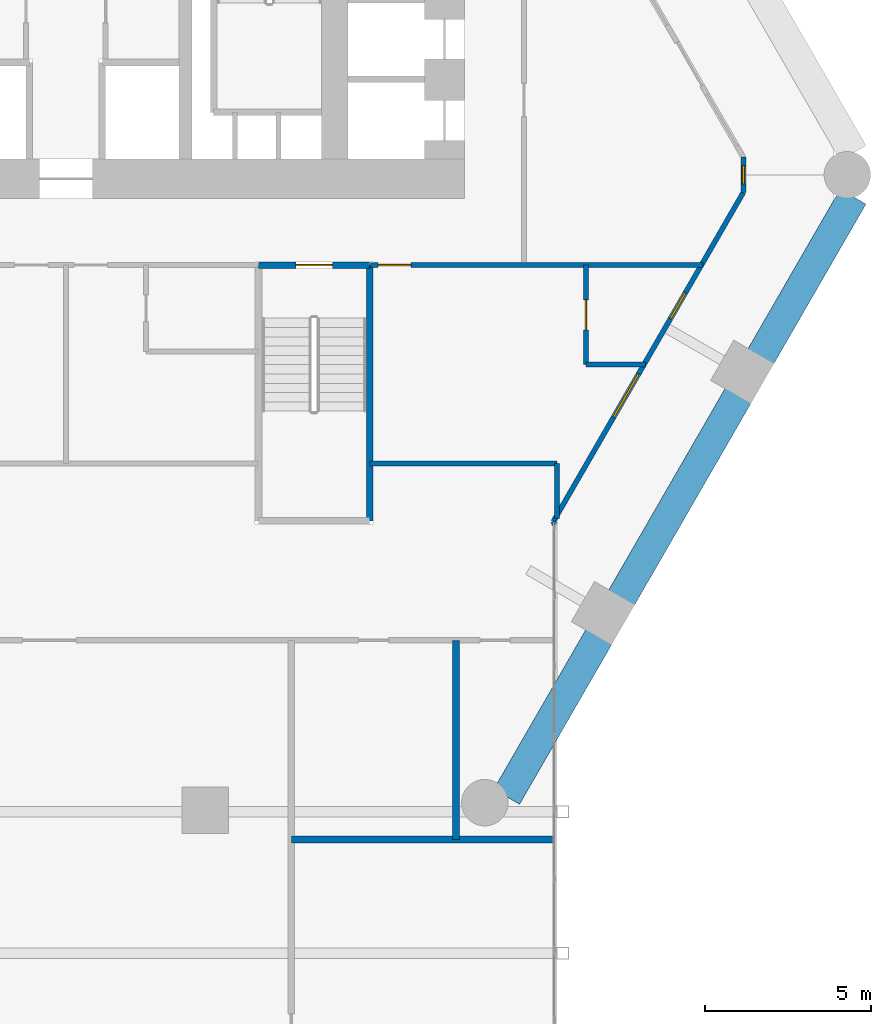
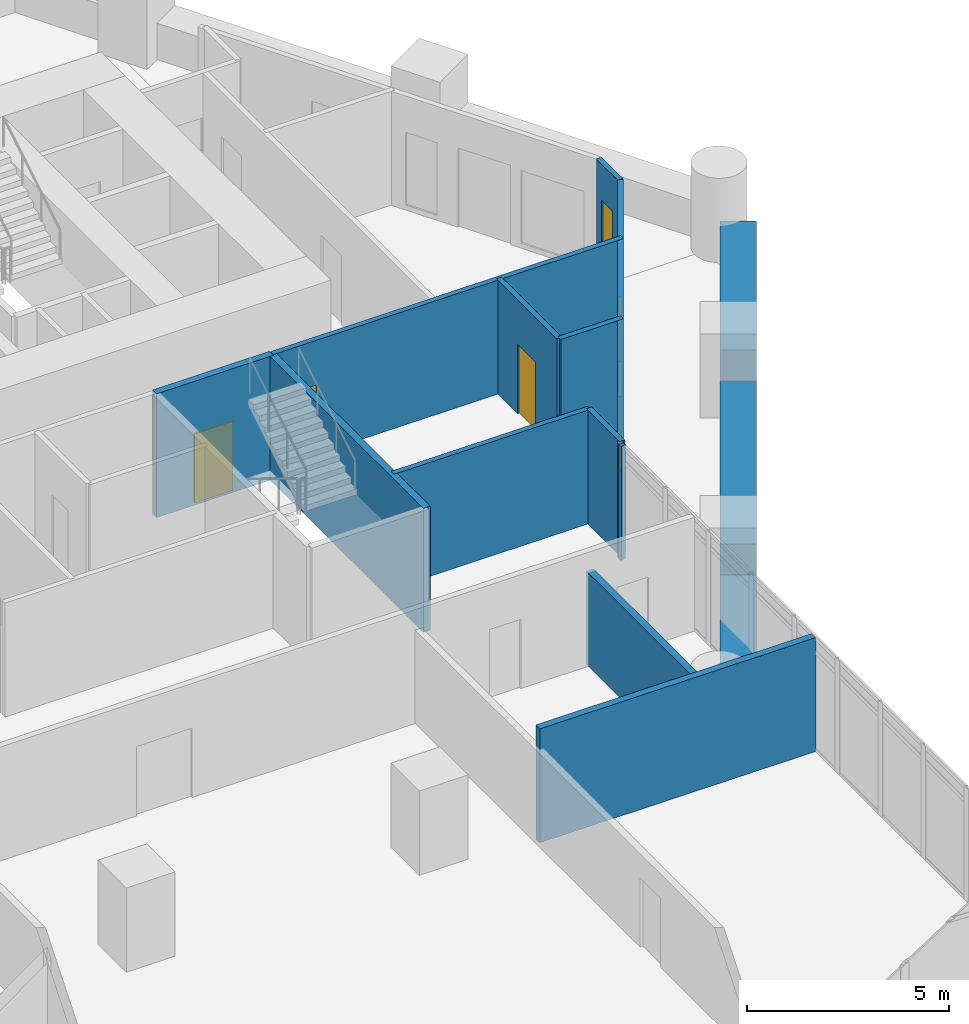
# One storey, part 24 of 28: 15 walls, 3 doors, 3 windows, 6 openings.
"""IFC4 building model written with IfcOpenShell, lengths in metres."""

from ifc_helpers import new_model, si_unit, direction, frame, frame_2d, origin, place, context, subcontext, project, spatial, rectangle, extrude, material, layer, layer_set, type_object, element, fill, save


model = new_model("IFC4")

# Units and contexts
model_context = context("Model", 3, precision=1e-05, world=origin(), true_north=direction((0.0, 1.0)))
body_context = subcontext(model_context, "Body", "Model", "MODEL_VIEW")
ifc_project = project(units=[si_unit("LENGTHUNIT", "METRE"), si_unit("AREAUNIT", "SQUARE_METRE"), si_unit("VOLUMEUNIT", "CUBIC_METRE"), si_unit("PLANEANGLEUNIT", "RADIAN"), si_unit("MASSUNIT", "GRAM", prefix="KILO")], contexts=[model_context])

# Site, building, storey
site_placement = place(None, origin())
site = spatial("IfcSite", under=ifc_project, at=site_placement, CompositionType="ELEMENT")
building_placement = place(site_placement, origin())
building = spatial("IfcBuilding", under=site, at=building_placement, Name="Ostrander Bayou Hotel Tower", CompositionType="ELEMENT")
storey_placement = place(building_placement, frame((0.0, 0.0, 73.0)))
storey = spatial("IfcBuildingStorey", under=building, at=storey_placement, Name="L18", CompositionType="ELEMENT", Elevation=73.0)

# Wall, openings, windows
ifc_material_1 = material(Name="Aluminium framed insulated wall", Category="aluminium")
ifc_layer_1 = layer(ifc_material_1, 0.14990234375)
ifc_layer_set_1 = layer_set([ifc_layer_1], Name="GW1 glass-line wall 150 mm")
wall_type_1 = type_object("IfcWallType", Name="GW1 glass-line wall 150 mm", PredefinedType="SOLIDWALL", material=ifc_layer_set_1)
wall_1_placement = place(storey_placement, frame((14.678955078125, -11.42529296875, 0.0), z_axis=(0.0, 0.0, 1.0), x_axis=(0.499991453095, 0.866030338286, 0.0)))
wall_1 = element("IfcWall", 1, at=wall_1_placement, inside=storey, type_object=wall_type_1, Name="GW1 L18 SE 1", PredefinedType="SOLIDWALL", context=body_context, shape_type="SweptSolid", body=[
    extrude(rectangle(XDim=11.444091796875, YDim=0.14990234375, at=frame_2d((5.72216796875, 0.0))), origin(), (0.0, 0.0, 1.0), 3.449951171875),
])
opening_1_placement = place(wall_1_placement, frame((3.63232421875, 0.0, 0.14990234375)))
opening_1 = element("IfcOpeningElement", 2, at=opening_1_placement, cuts=wall_1, Name="Opening W11", PredefinedType="OPENING", context=body_context, shape_type="SweptSolid", body=[
    extrude(rectangle(XDim=1.5, YDim=2.199951171875, at=frame_2d((0.75, 1.10009765625))), frame((0.0, 0.074951171875, 0.0), z_axis=(0.0, -1.0, 0.0), x_axis=(1.0, 0.0, 0.0)), (0.0, 0.0, 1.0), 0.14990234375),
])
opening_2_placement = place(wall_1_placement, frame((7.05517578125, 0.0, 0.14990234375)))
opening_2 = element("IfcOpeningElement", 3, at=opening_2_placement, cuts=wall_1, Name="Opening W15", PredefinedType="OPENING", context=body_context, shape_type="SweptSolid", body=[
    extrude(rectangle(XDim=0.89990234375, YDim=2.199951171875, at=frame_2d((0.449951171875, 1.10009765625))), frame((0.0, 0.074951171875, 0.0), z_axis=(0.0, -1.0, 0.0), x_axis=(1.0, 0.0, 0.0)), (0.0, 0.0, 1.0), 0.14990234375),
])
ifc_material_2 = material(Name="Aluminium and clear glass", Category="aluminium")
window_type_1 = type_object("IfcWindowType", Name="W11 fixed window 1500 mm, bath bay, zone 1", PartitioningType="SINGLE_PANEL", PredefinedType="WINDOW", material=ifc_material_2)
window_1_placement = place(opening_1_placement, origin())
window_1 = element("IfcWindow", 4, at=window_1_placement, inside=storey, type_object=window_type_1, Name="W11 L18 SE 3", OverallHeight=2.199951171875, OverallWidth=1.5, PartitioningType="SINGLE_PANEL", PredefinedType="WINDOW", context=body_context, shape_type="SweptSolid", body=[
    extrude(rectangle(XDim=1.5, YDim=2.199951171875, at=frame_2d((0.75, 1.10009765625))), frame((0.0, 0.030029296875, 0.0), z_axis=(0.0, -1.0, 0.0), x_axis=(1.0, 0.0, 0.0)), (0.0, 0.0, 1.0), 0.06005859375),
])
fill(opening_1, window_1)
ifc_material_3 = material(Name="Aluminium and clear glass", Category="aluminium")
window_type_2 = type_object("IfcWindowType", Name="W15 window 900 mm, zone 1", PartitioningType="SINGLE_PANEL", PredefinedType="WINDOW", material=ifc_material_3)
window_2_placement = place(opening_2_placement, origin())
window_2 = element("IfcWindow", 5, at=window_2_placement, inside=storey, type_object=window_type_2, Name="W15 L18 SE 4", OverallHeight=2.199951171875, OverallWidth=0.89990234375, PartitioningType="SINGLE_PANEL", PredefinedType="WINDOW", context=body_context, shape_type="SweptSolid", body=[
    extrude(rectangle(XDim=0.89990234375, YDim=2.199951171875, at=frame_2d((0.449951171875, 1.10009765625))), frame((0.0, 0.030029296875, 0.0), z_axis=(0.0, -1.0, 0.0), x_axis=(1.0, 0.0, 0.0)), (0.0, 0.0, 1.0), 0.06005859375),
])
fill(opening_2, window_2)

# Wall, opening, window
wall_2_placement = place(storey_placement, frame((20.40087890625, -1.514404296875, 0.0), z_axis=(0.0, 0.0, 1.0), x_axis=(0.0, 1.0, 0.0)))
wall_2 = element("IfcWall", 6, at=wall_2_placement, inside=storey, type_object=wall_type_1, Name="GW1 L18 corner 5", PredefinedType="SOLIDWALL", context=body_context, shape_type="SweptSolid", body=[
    extrude(rectangle(XDim=1.06494140625, YDim=0.14990234375, at=frame_2d((0.532470703125, 0.0))), origin(), (0.0, 0.0, 1.0), 3.449951171875),
])
opening_3_placement = place(wall_2_placement, frame((0.257568359375, 0.0, 0.14990234375)))
opening_3 = element("IfcOpeningElement", 7, at=opening_3_placement, cuts=wall_2, Name="Opening W19", PredefinedType="OPENING", context=body_context, shape_type="SweptSolid", body=[
    extrude(rectangle(XDim=0.550048828125, YDim=2.199951171875, at=frame_2d((0.27490234375, 1.10009765625))), frame((0.0, 0.074951171875, 0.0), z_axis=(0.0, -1.0, 0.0), x_axis=(1.0, 0.0, 0.0)), (0.0, 0.0, 1.0), 0.14990234375),
])
ifc_material_4 = material(Name="Aluminium and clear glass", Category="aluminium")
window_type_3 = type_object("IfcWindowType", Name="W19 corner window 550 mm", PartitioningType="SINGLE_PANEL", PredefinedType="WINDOW", material=ifc_material_4)
window_3_placement = place(opening_3_placement, origin())
window_3 = element("IfcWindow", 8, at=window_3_placement, inside=storey, type_object=window_type_3, Name="W19 L18 corner 5", OverallHeight=2.199951171875, OverallWidth=0.550048828125, PartitioningType="SINGLE_PANEL", PredefinedType="WINDOW", context=body_context, shape_type="SweptSolid", body=[
    extrude(rectangle(XDim=0.550048828125, YDim=2.199951171875, at=frame_2d((0.27490234375, 1.10009765625))), frame((0.0, 0.030029296875, 0.0), z_axis=(0.0, -1.0, 0.0), x_axis=(1.0, 0.0, 0.0)), (0.0, 0.0, 1.0), 0.06005859375),
])
fill(opening_3, window_3)

# Walls
wall_3_placement = place(storey_placement, frame((14.678955078125, -11.42529296875, 0.0), z_axis=(0.0, 0.0, 1.0), x_axis=(0.338543167143, -0.940950861619, 0.0)))
element("IfcWall", 9, at=wall_3_placement, inside=storey, type_object=wall_type_1, Name="GW1 L18 bar joint 2", PredefinedType="SOLIDWALL", context=body_context, shape_type="SweptSolid", body=[
    extrude(rectangle(XDim=0.09814453125, YDim=0.14990234375, at=frame_2d((0.049072265625, 0.0))), origin(), (0.0, 0.0, 1.0), 3.449951171875),
])
ifc_material_5 = material(Name="Limestone masonry", Category="masonry")
ifc_layer_2 = layer(ifc_material_5, 0.89990234375)
ifc_layer_set_2 = layer_set([ifc_layer_2], Name="PA2 limestone parapet 900 mm")
wall_type_2 = type_object("IfcWallType", Name="PA2 limestone parapet 900 mm", PredefinedType="PARAPET", material=ifc_layer_set_2)
wall_4_placement = place(storey_placement, frame((13.272216796875, -19.712158203125, 0.0), z_axis=(0.0, 0.0, 1.0), x_axis=(0.499976681983, 0.866038866029, 0.0)))
element("IfcWall", 10, at=wall_4_placement, inside=storey, type_object=wall_type_2, Name="PA2 L18 SE-1", PredefinedType="PARAPET", context=body_context, shape_type="SweptSolid", body=[
    extrude(rectangle(XDim=5.569580078125, YDim=0.89990234375, at=frame_2d((2.78466796875, 0.0))), origin(), (0.0, 0.0, 1.0), 1.10009765625),
])
wall_5_placement = place(storey_placement, frame((16.726806640625, -13.72802734375, 0.0), z_axis=(0.0, 0.0, 1.0), x_axis=(0.499997206141, 0.866027016814, 0.0)))
element("IfcWall", 11, at=wall_5_placement, inside=storey, type_object=wall_type_2, Name="PA2 L18 SE-2", PredefinedType="PARAPET", context=body_context, shape_type="SweptSolid", body=[
    extrude(rectangle(XDim=7.05078125, YDim=0.89990234375, at=frame_2d((3.525390625, 0.0))), origin(), (0.0, 0.0, 1.0), 1.10009765625),
])
wall_6_placement = place(storey_placement, frame((20.92236328125, -6.46142578125, 0.0), z_axis=(0.0, 0.0, 1.0), x_axis=(0.500009557824, 0.866019885502, 0.0)))
element("IfcWall", 12, at=wall_6_placement, inside=storey, type_object=wall_type_2, Name="PA2 L18 SE-3", PredefinedType="PARAPET", context=body_context, shape_type="SweptSolid", body=[
    extrude(rectangle(XDim=5.56982421875, YDim=0.89990234375, at=frame_2d((2.784912109375, 0.0))), origin(), (0.0, 0.0, 1.0), 1.10009765625),
])
ifc_material_6 = material(Name="Gypsum board partition", Category="finish")
ifc_layer_3 = layer(ifc_material_6, 0.199951171875)
ifc_layer_set_3 = layer_set([ifc_layer_3], Name="PT3 demising wall 200 mm acoustic double stud, 1 hour")
wall_type_3 = type_object("IfcWallType", Name="PT3 demising wall 200 mm acoustic double stud, 1 hour", PredefinedType="PARTITIONING", material=ifc_layer_set_3)
wall_7_placement = place(storey_placement, frame((6.787109375, -21.0, 0.0), z_axis=(0.0, 0.0, 1.0), x_axis=(1.0, 0.0, 0.0)))
element("IfcWall", 13, at=wall_7_placement, inside=storey, type_object=wall_type_3, Name="sw:L18:504", PredefinedType="PARTITIONING", context=body_context, shape_type="SweptSolid", body=[
    extrude(rectangle(XDim=7.906005859375, YDim=0.199951171875, at=frame_2d((3.953125, 0.0))), origin(), (0.0, 0.0, 1.0), 3.449951171875),
])
wall_8_placement = place(storey_placement, frame((11.7470703125, -21.0, 0.0), z_axis=(0.0, 0.0, 1.0), x_axis=(0.0, 1.0, 0.0)))
element("IfcWall", 14, at=wall_8_placement, inside=storey, type_object=wall_type_3, Name="sw:L18:511", PredefinedType="PARTITIONING", context=body_context, shape_type="SweptSolid", body=[
    extrude(rectangle(XDim=6.0, YDim=0.199951171875, at=frame_2d((3.0, 0.0))), origin(), (0.0, 0.0, 1.0), 2.828125),
])
ifc_material_7 = material(Name="Gypsum board partition", Category="finish")
ifc_layer_4 = layer(ifc_material_7, 0.14990234375)
ifc_layer_set_4 = layer_set([ifc_layer_4], Name="PT8 service band wall 150 mm, 1 hour")
wall_type_4 = type_object("IfcWallType", Name="PT8 service band wall 150 mm, 1 hour", PredefinedType="PARTITIONING", material=ifc_layer_set_4)
wall_9_placement = place(storey_placement, frame((9.159912109375, -9.679931640625, 0.0), z_axis=(0.0, 0.0, 1.0), x_axis=(1.0, 0.0, 0.0)))
element("IfcWall", 15, at=wall_9_placement, inside=storey, type_object=wall_type_4, Name="gw:L18:003", PredefinedType="PARTITIONING", context=body_context, shape_type="SweptSolid", body=[
    extrude(rectangle(XDim=5.625, YDim=0.14990234375, at=frame_2d((2.8125, 0.0))), origin(), (0.0, 0.0, 1.0), 3.449951171875),
])
wall_10_placement = place(storey_placement, frame((15.659912109375, -6.699951171875, 0.0), z_axis=(0.0, 0.0, 1.0), x_axis=(1.0, 0.0, 0.0)))
element("IfcWall", 16, at=wall_10_placement, inside=storey, type_object=wall_type_4, Name="gw:L18:005", PredefinedType="PARTITIONING", context=body_context, shape_type="SweptSolid", body=[
    extrude(rectangle(XDim=1.799072265625, YDim=0.14990234375, at=frame_2d((0.8994140625, 0.0))), origin(), (0.0, 0.0, 1.0), 3.449951171875),
])

# Wall, opening, door
wall_11_placement = place(storey_placement, frame((9.159912109375, -3.699951171875, 0.0), z_axis=(0.0, 0.0, 1.0), x_axis=(1.0, 0.0, 0.0)))
wall_11 = element("IfcWall", 17, at=wall_11_placement, inside=storey, type_object=wall_type_4, Name="gw:L18:010", PredefinedType="PARTITIONING", context=body_context, shape_type="SweptSolid", body=[
    extrude(rectangle(XDim=10.031005859375, YDim=0.14990234375, at=frame_2d((5.015625, 0.0))), origin(), (0.0, 0.0, 1.0), 3.449951171875),
])
opening_4_placement = place(wall_11_placement, frame((0.239990234375, 0.0, 0.0)))
opening_4 = element("IfcOpeningElement", 18, at=opening_4_placement, cuts=wall_11, Name="Opening T18-405", PredefinedType="OPENING", context=body_context, shape_type="SweptSolid", body=[
    extrude(rectangle(XDim=1.0, YDim=2.10009765625, at=frame_2d((0.5, 1.050048828125))), frame((0.0, 0.074951171875, 0.0), z_axis=(0.0, -1.0, 0.0), x_axis=(1.0, 0.0, 0.0)), (0.0, 0.0, 1.0), 0.14990234375),
])
ifc_material_8 = material(Name="Timber door leaf", Category="wood")
door_type_1 = type_object("IfcDoorType", Name="D1 guest room door 1000 x 2100 mm, 30 minute", OperationType="SINGLE_SWING_LEFT", PredefinedType="DOOR", material=ifc_material_8)
door_1_placement = place(opening_4_placement, origin())
door_1 = element("IfcDoor", 19, at=door_1_placement, inside=storey, type_object=door_type_1, Name="dr:L18:405", OperationType="SINGLE_SWING_LEFT", OverallHeight=2.10009765625, OverallWidth=1.0, PredefinedType="DOOR", context=body_context, shape_type="SweptSolid", body=[
    extrude(rectangle(XDim=1.0, YDim=2.10009765625, at=frame_2d((0.5, 1.050048828125))), frame((0.0, 0.02490234375, 0.0), z_axis=(0.0, -1.0, 0.0), x_axis=(1.0, 0.0, 0.0)), (0.0, 0.0, 1.0), 0.050048828125),
])
fill(opening_4, door_1)

wall_12_placement = place(storey_placement, frame((15.659912109375, -6.699951171875, 0.0), z_axis=(0.0, 0.0, 1.0), x_axis=(0.0, 1.0, 0.0)))
wall_12 = element("IfcWall", 20, at=wall_12_placement, inside=storey, type_object=wall_type_4, Name="gw:L18:016", PredefinedType="PARTITIONING", context=body_context, shape_type="SweptSolid", body=[
    extrude(rectangle(XDim=3.0, YDim=0.14990234375, at=frame_2d((1.5, 0.0))), origin(), (0.0, 0.0, 1.0), 3.449951171875),
])
opening_5_placement = place(wall_12_placement, frame((1.050048828125, 0.0, 0.0)))
opening_5 = element("IfcOpeningElement", 21, at=opening_5_placement, cuts=wall_12, Name="Opening T18-406", PredefinedType="OPENING", context=body_context, shape_type="SweptSolid", body=[
    extrude(rectangle(XDim=0.89990234375, YDim=2.10009765625, at=frame_2d((0.449951171875, 1.050048828125))), frame((0.0, 0.074951171875, 0.0), z_axis=(0.0, -1.0, 0.0), x_axis=(1.0, 0.0, 0.0)), (0.0, 0.0, 1.0), 0.14990234375),
])
ifc_material_9 = material(Name="Timber door leaf", Category="wood")
door_type_2 = type_object("IfcDoorType", Name="D14 bathroom door 900 x 2100 mm", OperationType="SINGLE_SWING_LEFT", PredefinedType="DOOR", material=ifc_material_9)
door_2_placement = place(opening_5_placement, origin())
door_2 = element("IfcDoor", 22, at=door_2_placement, inside=storey, type_object=door_type_2, Name="dr:L18:406", OperationType="SINGLE_SWING_RIGHT", OverallHeight=2.10009765625, OverallWidth=0.89990234375, PredefinedType="DOOR", context=body_context, shape_type="SweptSolid", body=[
    extrude(rectangle(XDim=0.89990234375, YDim=2.10009765625, at=frame_2d((0.449951171875, 1.050048828125))), frame((0.0, 0.02490234375, 0.0), z_axis=(0.0, -1.0, 0.0), x_axis=(1.0, 0.0, 0.0)), (0.0, 0.0, 1.0), 0.050048828125),
])
fill(opening_5, door_2)

# Wall
wall_13_placement = place(storey_placement, frame((14.784912109375, -11.33203125, 0.0), z_axis=(0.0, 0.0, 1.0), x_axis=(0.0, 1.0, 0.0)))
element("IfcWall", 23, at=wall_13_placement, inside=storey, type_object=wall_type_4, Name="gw:L18:017", PredefinedType="PARTITIONING", context=body_context, shape_type="SweptSolid", body=[
    extrude(rectangle(XDim=1.652099609375, YDim=0.14990234375, at=frame_2d((0.826171875, 0.0))), origin(), (0.0, 0.0, 1.0), 3.449951171875),
])

# Wall, opening, door
ifc_material_10 = material(Name="Concrete f'c 45 MPa", Category="concrete")
ifc_layer_5 = layer(ifc_material_10, 0.199951171875)
ifc_layer_set_5 = layer_set([ifc_layer_5], Name="SW5 stair enclosure wall 200 mm f'c 45 MPa")
wall_type_5 = type_object("IfcWallType", Name="SW5 stair enclosure wall 200 mm f'c 45 MPa", PredefinedType="SOLIDWALL", material=ifc_layer_set_5)
wall_14_placement = place(storey_placement, frame((5.800048828125, -3.699951171875, -0.300048828125), z_axis=(0.0, 0.0, 1.0), x_axis=(1.0, 0.0, 0.0)))
wall_14 = element("IfcWall", 24, at=wall_14_placement, inside=storey, type_object=wall_type_5, Name="cs:L18:017", PredefinedType="SOLIDWALL", context=body_context, shape_type="SweptSolid", body=[
    extrude(rectangle(XDim=3.349853515625, YDim=0.199951171875, at=frame_2d((1.6748046875, 0.0))), origin(), (0.0, 0.0, 1.0), 3.75),
])
opening_6_placement = place(wall_14_placement, frame((1.125, 0.0, 0.0)))
opening_6 = element("IfcOpeningElement", 25, at=opening_6_placement, cuts=wall_14, Name="Opening T18-007", PredefinedType="OPENING", context=body_context, shape_type="SweptSolid", body=[
    extrude(rectangle(XDim=1.10009765625, YDim=2.10009765625, at=frame_2d((0.550048828125, 1.050048828125))), frame((0.0, 0.10009765625, 0.0), z_axis=(0.0, -1.0, 0.0), x_axis=(1.0, 0.0, 0.0)), (0.0, 0.0, 1.0), 0.199951171875),
])
ifc_material_11 = material(Name="Timber door leaf", Category="wood")
door_type_3 = type_object("IfcDoorType", Name="D5 stair door 1100 x 2100 mm, 90 minute", OperationType="SINGLE_SWING_LEFT", PredefinedType="DOOR", material=ifc_material_11)
door_3_placement = place(opening_6_placement, origin())
door_3 = element("IfcDoor", 26, at=door_3_placement, inside=storey, type_object=door_type_3, Name="dr:L18:007", OperationType="SINGLE_SWING_LEFT", OverallHeight=2.10009765625, OverallWidth=1.10009765625, PredefinedType="DOOR", context=body_context, shape_type="SweptSolid", body=[
    extrude(rectangle(XDim=1.10009765625, YDim=2.10009765625, at=frame_2d((0.550048828125, 1.050048828125))), frame((0.0, 0.02490234375, 0.0), z_axis=(0.0, -1.0, 0.0), x_axis=(1.0, 0.0, 0.0)), (0.0, 0.0, 1.0), 0.050048828125),
])
fill(opening_6, door_3)

# Wall
wall_15_placement = place(storey_placement, frame((9.14990234375, -3.699951171875, -0.300048828125), z_axis=(0.0, 0.0, 1.0), x_axis=(0.0, -1.0, 0.0)))
element("IfcWall", 27, at=wall_15_placement, inside=storey, type_object=wall_type_5, Name="cs:L18:019", PredefinedType="SOLIDWALL", context=body_context, shape_type="SweptSolid", body=[
    extrude(rectangle(XDim=7.699951171875, YDim=0.199951171875, at=frame_2d((3.85009765625, 0.0))), origin(), (0.0, 0.0, 1.0), 3.75),
])

save(model, "model.ifc")
